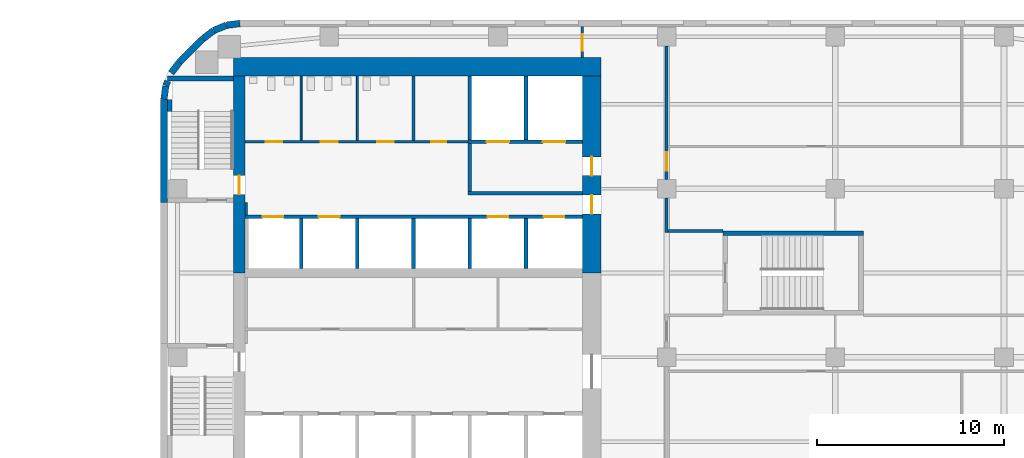
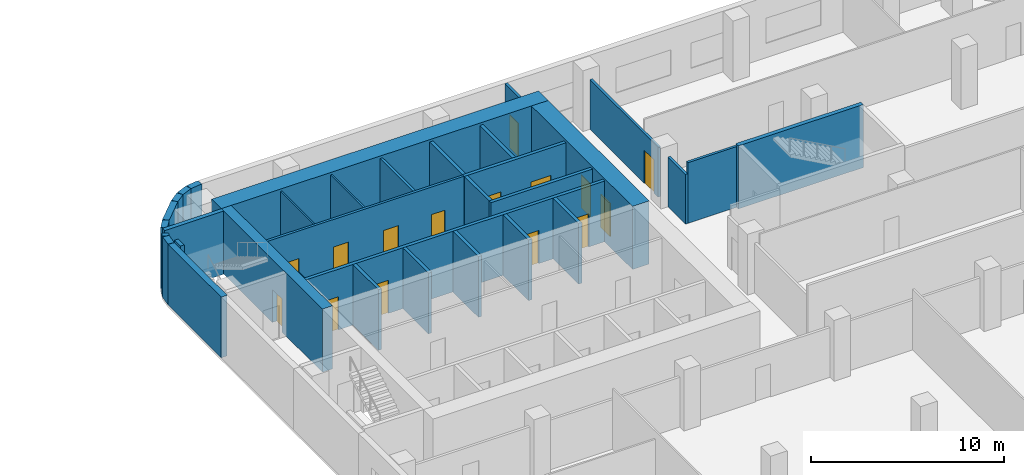
# One storey, part 11 of 16: 34 walls, 15 doors, 15 openings.
"""IFC4 building model written with IfcOpenShell, lengths in metres."""

import ifcopenshell
import ifcopenshell.guid

model = None  # the IFC model being written
_history = None  # IfcOwnerHistory: only IFC2X3 demands one
_inside = {}  # id of a spatial element -> (the spatial element, [elements in it])
_under = {}  # id of a project, library or spatial element -> (it, [spatial elements below it])
_declared = {}  # id of a project -> (the project, [libraries it declares])
_typed = {}  # id of a type object -> (the type object, [elements of that type])
_made_of = {}  # id of a material, layer set ... -> (it, [elements and type objects made of it])


def new_model(schema):
    """Start an empty IFC model of exactly this schema.

    Asked for "IFC4X3", IfcOpenShell would pick the latest addendum, in which some entities
    have other attributes; the version numbers below select the first issue.
    IFC2X3 requires an IfcOwnerHistory on every rooted entity: one is made here for all.
    """
    global model, _history
    if schema == "IFC4X3":
        model = ifcopenshell.file(schema_version=(4, 3, 0, 0))
    else:
        model = ifcopenshell.file(schema=schema)
    _inside.clear()
    _under.clear()
    _declared.clear()
    _typed.clear()
    _made_of.clear()
    _history = None
    if model.schema == "IFC2X3":
        org = make("IfcOrganization", Name="unknown")
        user = make(
            "IfcPersonAndOrganization",
            ThePerson=make("IfcPerson", FamilyName="unknown"),
            TheOrganization=org,
        )
        app = make(
            "IfcApplication",
            ApplicationDeveloper=org,
            Version="unknown",
            ApplicationFullName="unknown",
            ApplicationIdentifier="unknown",
        )
        _history = make(
            "IfcOwnerHistory",
            OwningUser=user,
            OwningApplication=app,
            ChangeAction="ADDED",
            CreationDate=0,
        )
    return model


def make(cls, **values):
    """One entity of the class cls with the attributes given. An attribute that is None is left unset."""
    return model.create_entity(
        cls, **{name: value for name, value in values.items() if value is not None}
    )


def rooted(cls, **values):
    """An entity with a GlobalId (a new one), such as an element, a storey or a relation."""
    return make(cls, GlobalId=ifcopenshell.guid.new(), OwnerHistory=_history, **values)


def si_unit(unit_type, name, prefix=None):
    """IfcSIUnit, for example si_unit("LENGTHUNIT", "METRE", prefix="MILLI")."""
    return make("IfcSIUnit", UnitType=unit_type, Prefix=prefix, Name=name)


def assignment(units):
    """IfcUnitAssignment: the units of a project."""
    return None if units is None else make("IfcUnitAssignment", Units=units)


def point(xyz):
    """IfcCartesianPoint."""
    return None if xyz is None else make("IfcCartesianPoint", Coordinates=xyz)


def direction(xyz):
    """IfcDirection."""
    return None if xyz is None else make("IfcDirection", DirectionRatios=xyz)


def frame(location, z_axis=None, x_axis=None):
    """IfcAxis2Placement3D, a coordinate frame: its origin and axes. An axis left out is left unset."""
    return make(
        "IfcAxis2Placement3D",
        Location=point(location),
        Axis=direction(z_axis),
        RefDirection=direction(x_axis),
    )


def frame_2d(location, x_axis=None):
    """IfcAxis2Placement2D, a coordinate frame in the plane: its origin and x axis."""
    return make(
        "IfcAxis2Placement2D", Location=point(location), RefDirection=direction(x_axis)
    )


def origin():
    """The frame at (0, 0, 0) with its axes left unset."""
    return frame((0.0, 0.0, 0.0))


def place(relative_to, where):
    """IfcLocalPlacement: puts the frame where relative to a parent placement (None: the world)."""
    return make(
        "IfcLocalPlacement", PlacementRelTo=relative_to, RelativePlacement=where
    )


def context(
    kind, dimensions, precision=None, world=None, true_north=None, identifier=None
):
    """IfcGeometricRepresentationContext, for example the 3D "Model" context."""
    return make(
        "IfcGeometricRepresentationContext",
        ContextIdentifier=identifier,
        ContextType=kind,
        CoordinateSpaceDimension=dimensions,
        Precision=precision,
        WorldCoordinateSystem=world,
        TrueNorth=true_north,
    )


def subcontext(parent, identifier, kind, view, scale=None):
    """IfcGeometricRepresentationSubContext, for example "Body" below "Model"."""
    return make(
        "IfcGeometricRepresentationSubContext",
        ContextIdentifier=identifier,
        ContextType=kind,
        ParentContext=parent,
        TargetScale=scale,
        TargetView=view,
    )


def project(units=None, contexts=None):
    """IfcProject with its units and contexts."""
    return rooted(
        "IfcProject",
        Name="project",
        RepresentationContexts=contexts,
        UnitsInContext=assignment(units),
    )


def spatial(cls, under=None, at=None, **own):
    """A site, building, storey or space (cls), placed at a placement, below another one or the project."""
    s = rooted(cls, ObjectPlacement=at, **own)
    if under is not None:
        _under.setdefault(under.id(), (under, []))[1].append(s)
    return s


def profile(cls, at=None, kind="AREA", **sizes):
    """A parametric profile (cls). Its sizes go by their IFC names, for example OverallWidth=200.0."""
    return make(cls, ProfileType=kind, Position=at, **sizes)


def rectangle(**sizes):
    """IfcRectangleProfileDef."""
    return profile("IfcRectangleProfileDef", **sizes)


def extrude(swept, where, along, depth):
    """IfcExtrudedAreaSolid: the profile swept, set in the frame where, extruded along a direction by depth."""
    return make(
        "IfcExtrudedAreaSolid",
        SweptArea=swept,
        Position=where,
        ExtrudedDirection=direction(along),
        Depth=depth,
    )


def shape(context_of_items, identifier, shape_type, items):
    """IfcShapeRepresentation: the items that make up one representation, for example the "Body"."""
    return make(
        "IfcShapeRepresentation",
        ContextOfItems=context_of_items,
        RepresentationIdentifier=identifier,
        RepresentationType=shape_type,
        Items=items,
    )


def material(Name=None, Category=None):
    """IfcMaterial."""
    return make("IfcMaterial", Name=Name, Category=Category)


def layer(
    of_material, thickness, ventilated=None, Name=None, Category=None, Priority=None
):
    """IfcMaterialLayer: one layer of a wall or slab, of a material (None: an air gap)."""
    return make(
        "IfcMaterialLayer",
        Material=of_material,
        LayerThickness=thickness,
        IsVentilated=ventilated,
        Name=Name,
        Category=Category,
        Priority=Priority,
    )


def layer_set(layers, Name=None):
    """IfcMaterialLayerSet."""
    return make("IfcMaterialLayerSet", MaterialLayers=layers, LayerSetName=Name)


def made_of(thing, what):
    """Note that an element or type object is made of a material, layer set ...; save() writes the relation."""
    if what is not None:
        _made_of.setdefault(what.id(), (what, []))[1].append(thing)
    return thing


def type_object(cls, material=None, **own):
    """A type object (cls), such as IfcWallType, which elements share."""
    return made_of(rooted(cls, **own), material)


def element(
    cls,
    number,
    at=None,
    inside=None,
    cuts=None,
    type_object=None,
    material=None,
    context=None,
    identifier="Body",
    shape_type=None,
    held_by="IfcProductDefinitionShape",
    body=None,
    shapes=None,
    **own,
):
    """One element of the class cls, such as IfcWall. Its Tag is "e" and its number.

    at: its placement. inside: the storey or other place that contains it. cuts: it is an
    opening in that element (IfcRelVoidsElement). A single representation is given by context,
    identifier, shape_type and body (its items); several are given by shapes. held_by: the class
    of the entity that holds the representations. save() writes the other relations.
    """
    e = rooted(cls, Tag="e%d" % number, ObjectPlacement=at, **own)
    if body is not None:
        shapes = [shape(context, identifier, shape_type, body)]
    if shapes is not None:
        e.Representation = make(held_by, Representations=shapes)
    if inside is not None:
        _inside.setdefault(inside.id(), (inside, []))[1].append(e)
    if cuts is not None:
        rooted(
            "IfcRelVoidsElement", RelatingBuildingElement=cuts, RelatedOpeningElement=e
        )
    if type_object is not None:
        _typed.setdefault(type_object.id(), (type_object, []))[1].append(e)
    return made_of(e, material)


def fill(opening, filler):
    """IfcRelFillsElement: the door or window that sits in an opening."""
    return rooted(
        "IfcRelFillsElement",
        RelatingOpeningElement=opening,
        RelatedBuildingElement=filler,
    )


def aggregate(whole, parts):
    """IfcRelAggregates: a whole, such as a stair, and the parts it consists of."""
    return rooted("IfcRelAggregates", RelatingObject=whole, RelatedObjects=parts)


def save(model, path):
    """Write the relations noted so far, then the file.

    IfcRelAggregates (storeys below a building ...), IfcRelContainedInSpatialStructure (elements
    in a storey), IfcRelDefinesByType, IfcRelAssociatesMaterial and IfcRelDeclares: one each for
    every whole, place, type object, material and project.
    """
    for whole, parts in _under.values():
        aggregate(whole, parts)
    for where, things in _inside.values():
        rooted(
            "IfcRelContainedInSpatialStructure",
            RelatedElements=things,
            RelatingStructure=where,
        )
    for kind, things in _typed.values():
        rooted("IfcRelDefinesByType", RelatedObjects=things, RelatingType=kind)
    for what, things in _made_of.values():
        rooted("IfcRelAssociatesMaterial", RelatedObjects=things, RelatingMaterial=what)
    for by, libraries in _declared.values():
        rooted("IfcRelDeclares", RelatingContext=by, RelatedDefinitions=libraries)
    model.write(path)


model = new_model("IFC4")

# Units and contexts
model_context = context("Model", 3, precision=1e-05, world=origin(), true_north=direction((0.0, 1.0)))
body_context = subcontext(model_context, "Body", "Model", "MODEL_VIEW")
ifc_project = project(units=[si_unit("LENGTHUNIT", "METRE"), si_unit("AREAUNIT", "SQUARE_METRE"), si_unit("VOLUMEUNIT", "CUBIC_METRE"), si_unit("PLANEANGLEUNIT", "RADIAN"), si_unit("MASSUNIT", "GRAM", prefix="KILO")], contexts=[model_context])

# Site, building, storey
site_placement = place(None, origin())
site = spatial("IfcSite", under=ifc_project, at=site_placement, CompositionType="ELEMENT")
building_placement = place(site_placement, origin())
building = spatial("IfcBuilding", under=site, at=building_placement, Name="Cinnabar Reach Civic Tower", CompositionType="ELEMENT")
storey_placement = place(building_placement, frame((0.0, 0.0, 34.0)))
storey = spatial("IfcBuildingStorey", under=building, at=storey_placement, Name="L07", CompositionType="ELEMENT", Elevation=34.0)

# Walls
ifc_material_1 = material(Name="Facing brick with insulated backing", Category="masonry")
ifc_layer_1 = layer(ifc_material_1, 0.36)
ifc_layer_set_1 = layer_set([ifc_layer_1], Name="Brick corner wall")
wall_type_1 = type_object("IfcWallType", Name="Brick corner wall", PredefinedType="STANDARD", material=ifc_layer_set_1)
for number, where, z_axis, x_axis, name in (
    (1, (4.2314, 44.817, 0.0), (0.0, 0.0, 1.0), (-0.99144092581, -0.13055608231, 0.0), "Brick corner wall"),
    (2, (3.5027, 44.7181, 0.0), (0.0, 0.0, 1.0), (-0.923871547278, -0.382702709855, 0.0), "Brick corner wall"),
):
    element("IfcWall", number, at=place(storey_placement, frame(where, z_axis=z_axis, x_axis=x_axis)), inside=storey, type_object=wall_type_1, Name=name, PredefinedType="STANDARD", context=body_context, shape_type="SweptSolid", body=[
        extrude(rectangle(XDim=0.7131, YDim=0.36, at=frame_2d((0.3565, 0.0))), origin(), (0.0, 0.0, 1.0), 3.85),
    ])
for number, where, z_axis, x_axis, name in (
    (3, (2.8245, 44.434, 0.0), (0.0, 0.0, 1.0), (-0.793321924995, -0.608802368033, 0.0), "Brick corner wall"),
    (4, (1.0002, 42.7413, 0.0), (0.0, 0.0, 1.0), (-0.608802368033, -0.793321924995, 0.0), "Brick corner wall"),
):
    element("IfcWall", number, at=place(storey_placement, frame(where, z_axis=z_axis, x_axis=x_axis)), inside=storey, type_object=wall_type_1, Name=name, PredefinedType="STANDARD", context=body_context, shape_type="SweptSolid", body=[
        extrude(rectangle(XDim=0.7132, YDim=0.36, at=frame_2d((0.3566, 0.0))), origin(), (0.0, 0.0, 1.0), 3.85),
    ])
wall_1_placement = place(storey_placement, frame((0.3808, 41.736, 0.0), z_axis=(0.0, 0.0, 1.0), x_axis=(-0.382773360986, -0.923842277729, 0.0)))
element("IfcWall", 5, at=wall_1_placement, inside=storey, type_object=wall_type_1, Name="Brick corner wall", PredefinedType="STANDARD", context=body_context, shape_type="SweptSolid", body=[
    extrude(rectangle(XDim=0.2584, YDim=0.36, at=frame_2d((0.1292, 0.0))), origin(), (0.0, 0.0, 1.0), 3.85),
])
wall_2_placement = place(storey_placement, frame((0.2761, 41.4756, 0.0), z_axis=(0.0, 0.0, 1.0), x_axis=(-0.13055608231, -0.99144092581, 0.0)))
element("IfcWall", 6, at=wall_2_placement, inside=storey, type_object=wall_type_1, Name="Brick corner wall", PredefinedType="STANDARD", context=body_context, shape_type="SweptSolid", body=[
    extrude(rectangle(XDim=0.7131, YDim=0.36, at=frame_2d((0.3565, 0.0))), origin(), (0.0, 0.0, 1.0), 3.85),
])
ifc_layer_2 = layer(ifc_material_1, 0.36)
ifc_layer_set_2 = layer_set([ifc_layer_2], Name="Brick pier and spandrel wall")
wall_type_2 = type_object("IfcWallType", Name="Brick pier and spandrel wall", PredefinedType="STANDARD", material=ifc_layer_set_2)
wall_3_placement = place(storey_placement, frame((2.2486, 43.994, 0.0), z_axis=(0.0, 0.0, 1.0), x_axis=(-0.707106781187, -0.707106781187, 0.0)))
element("IfcWall", 7, at=wall_3_placement, inside=storey, type_object=wall_type_2, Name="Brick facade wall", PredefinedType="STANDARD", context=body_context, shape_type="SweptSolid", body=[
    extrude(rectangle(XDim=1.7573, YDim=0.36, at=frame_2d((0.8787, 0.0))), origin(), (0.0, 0.0, 1.0), 3.85),
])
wall_4_placement = place(storey_placement, frame((0.18, 40.7574, 0.0), z_axis=(0.0, 0.0, 1.0), x_axis=(0.0, -1.0, 0.0)))
element("IfcWall", 8, at=wall_4_placement, inside=storey, type_object=wall_type_2, Name="Brick facade wall", PredefinedType="STANDARD", context=body_context, shape_type="SweptSolid", body=[
    extrude(rectangle(XDim=5.5074, YDim=0.36, at=frame_2d((2.7537, 0.0))), origin(), (0.0, 0.0, 1.0), 3.85),
])
ifc_material_2 = material(Name="Concrete C70", Category="concrete")
ifc_layer_3 = layer(ifc_material_2, 1.0)
ifc_layer_set_3 = layer_set([ifc_layer_3], Name="Core wall 1000 EI 180")
wall_type_3 = type_object("IfcWallType", Name="Core wall 1000 EI 180", PredefinedType="SOLIDWALL", material=ifc_layer_set_3)
wall_5_placement = place(storey_placement, frame((23.5, 42.5, 0.0), z_axis=(0.0, 0.0, 1.0), x_axis=(-1.0, 0.0, 0.0)))
element("IfcWall", 9, at=wall_5_placement, inside=storey, type_object=wall_type_3, Name="Core wall T1 L07 N", PredefinedType="SOLIDWALL", context=body_context, shape_type="SweptSolid", body=[
    extrude(rectangle(XDim=19.6, YDim=1.0, at=frame_2d((9.8, 0.0))), origin(), (0.0, 0.0, 1.0), 4.0),
])

# Wall, openings, doors
wall_6_placement = place(storey_placement, frame((23.0, 31.5, 0.0), z_axis=(0.0, 0.0, 1.0), x_axis=(0.0, 1.0, 0.0)))
wall_6 = element("IfcWall", 10, at=wall_6_placement, inside=storey, type_object=wall_type_3, Name="Core wall T1 L07 E2", PredefinedType="SOLIDWALL", context=body_context, shape_type="SweptSolid", body=[
    extrude(rectangle(XDim=10.5, YDim=1.0, at=frame_2d((5.25, 0.0))), origin(), (0.0, 0.0, 1.0), 4.0),
])
opening_1_placement = place(wall_6_placement, frame((3.15, 0.0, 0.0)))
opening_1 = element("IfcOpeningElement", 11, at=opening_1_placement, cuts=wall_6, Name="Opening D3289", PredefinedType="OPENING", context=body_context, shape_type="SweptSolid", body=[
    extrude(rectangle(XDim=1.0, YDim=2.1, at=frame_2d((0.5, 1.05))), frame((0.0, 0.51, 0.0), z_axis=(0.0, -1.0, 0.0), x_axis=(1.0, 0.0, 0.0)), (0.0, 0.0, 1.0), 1.02),
])
opening_2_placement = place(wall_6_placement, frame((5.2, 0.0, 0.0)))
opening_2 = element("IfcOpeningElement", 12, at=opening_2_placement, cuts=wall_6, Name="Opening D3290", PredefinedType="OPENING", context=body_context, shape_type="SweptSolid", body=[
    extrude(rectangle(XDim=1.0, YDim=2.1, at=frame_2d((0.5, 1.05))), frame((0.0, 0.51, 0.0), z_axis=(0.0, -1.0, 0.0), x_axis=(1.0, 0.0, 0.0)), (0.0, 0.0, 1.0), 1.02),
])
ifc_material_3 = material(Name="Timber door leaf in steel frame", Category="steel")
door_type_1 = type_object("IfcDoorType", Name="Firefighting lobby door 1000 x 2100 T1", OperationType="SINGLE_SWING_LEFT", PredefinedType="DOOR", material=ifc_material_3)
door_1_placement = place(opening_2_placement, origin())
door_1 = element("IfcDoor", 13, at=door_1_placement, inside=storey, type_object=door_type_1, Name="Door D3290", OperationType="SINGLE_SWING_LEFT", OverallHeight=2.1, OverallWidth=1.0, PredefinedType="DOOR", context=body_context, shape_type="SweptSolid", body=[
    extrude(rectangle(XDim=1.0, YDim=2.1, at=frame_2d((0.5, 1.05))), frame((0.0, 0.025, 0.0), z_axis=(0.0, -1.0, 0.0), x_axis=(1.0, 0.0, 0.0)), (0.0, 0.0, 1.0), 0.05),
])
fill(opening_2, door_1)
door_type_2 = type_object("IfcDoorType", Name="Single swing door 1000 x 2100 T1", OperationType="SINGLE_SWING_LEFT", PredefinedType="DOOR", material=ifc_material_3)
door_2_placement = place(opening_1_placement, origin())
door_2 = element("IfcDoor", 14, at=door_2_placement, inside=storey, type_object=door_type_2, Name="Door D3289", OperationType="SINGLE_SWING_RIGHT", OverallHeight=2.1, OverallWidth=1.0, PredefinedType="DOOR", context=body_context, shape_type="SweptSolid", body=[
    extrude(rectangle(XDim=1.0, YDim=2.1, at=frame_2d((0.5, 1.05))), frame((0.0, 0.025, 0.0), z_axis=(0.0, -1.0, 0.0), x_axis=(1.0, 0.0, 0.0)), (0.0, 0.0, 1.0), 0.05),
])
fill(opening_1, door_2)

# Wall, opening, door
ifc_layer_4 = layer(ifc_material_2, 0.6)
ifc_layer_set_4 = layer_set([ifc_layer_4], Name="Core wall 600 EI 180")
wall_type_4 = type_object("IfcWallType", Name="Core wall 600 EI 180", PredefinedType="SOLIDWALL", material=ifc_layer_set_4)
wall_7_placement = place(storey_placement, frame((4.2, 42.0, 0.0), z_axis=(0.0, 0.0, 1.0), x_axis=(0.0, -1.0, 0.0)))
wall_7 = element("IfcWall", 15, at=wall_7_placement, inside=storey, type_object=wall_type_4, Name="Core wall T1 L07 W", PredefinedType="SOLIDWALL", context=body_context, shape_type="SweptSolid", body=[
    extrude(rectangle(XDim=10.5, YDim=0.6, at=frame_2d((5.25, 0.0))), origin(), (0.0, 0.0, 1.0), 4.0),
])
opening_3_placement = place(wall_7_placement, frame((5.3, 0.0, 0.0)))
opening_3 = element("IfcOpeningElement", 16, at=opening_3_placement, cuts=wall_7, Name="Opening D3274", PredefinedType="OPENING", context=body_context, shape_type="SweptSolid", body=[
    extrude(rectangle(XDim=1.0, YDim=2.1, at=frame_2d((0.5, 1.05))), frame((0.0, 0.31, 0.0), z_axis=(0.0, -1.0, 0.0), x_axis=(1.0, 0.0, 0.0)), (0.0, 0.0, 1.0), 0.62),
])
door_type_3 = type_object("IfcDoorType", Name="Stair door 1000 x 2100 T1", OperationType="SINGLE_SWING_LEFT", PredefinedType="DOOR", material=ifc_material_3)
door_3_placement = place(opening_3_placement, frame((1.0, 0.0, 0.0), z_axis=(0.0, 0.0, 1.0), x_axis=(-1.0, 0.0, 0.0)))
door_3 = element("IfcDoor", 17, at=door_3_placement, inside=storey, type_object=door_type_3, Name="Door D3274", OperationType="SINGLE_SWING_LEFT", OverallHeight=2.1, OverallWidth=1.0, PredefinedType="DOOR", context=body_context, shape_type="SweptSolid", body=[
    extrude(rectangle(XDim=1.0, YDim=2.1, at=frame_2d((0.5, 1.05))), frame((0.0, 0.025, 0.0), z_axis=(0.0, -1.0, 0.0), x_axis=(1.0, 0.0, 0.0)), (0.0, 0.0, 1.0), 0.05),
])
fill(opening_3, door_3)

# Wall, openings, doors
ifc_material_4 = material(Name="Gypsum board on steel studs, double layer", Category="steel")
ifc_layer_5 = layer(ifc_material_4, 0.15)
ifc_layer_set_5 = layer_set([ifc_layer_5], Name="Corridor wall 150 T1")
wall_type_5 = type_object("IfcWallType", Name="Corridor wall 150 T1", PredefinedType="PARTITIONING", material=ifc_layer_set_5)
wall_8_placement = place(storey_placement, frame((4.5, 38.5, 0.0), z_axis=(0.0, 0.0, 1.0), x_axis=(1.0, 0.0, 0.0)))
wall_8 = element("IfcWall", 18, at=wall_8_placement, inside=storey, type_object=wall_type_5, Name="Corridor wall 28", PredefinedType="PARTITIONING", context=body_context, shape_type="SweptSolid", body=[
    extrude(rectangle(XDim=11.9, YDim=0.15, at=frame_2d((5.95, 0.0))), origin(), (0.0, 0.0, 1.0), 3.85),
])
opening_4_placement = place(wall_8_placement, frame((1.1, 0.0, 0.0)))
opening_4 = element("IfcOpeningElement", 19, at=opening_4_placement, cuts=wall_8, Name="Opening D3295", PredefinedType="OPENING", context=body_context, shape_type="SweptSolid", body=[
    extrude(rectangle(XDim=0.9, YDim=2.1, at=frame_2d((0.45, 1.05))), frame((0.0, 0.085, 0.0), z_axis=(0.0, -1.0, 0.0), x_axis=(1.0, 0.0, 0.0)), (0.0, 0.0, 1.0), 0.17),
])
opening_5_placement = place(wall_8_placement, frame((4.05, 0.0, 0.0)))
opening_5 = element("IfcOpeningElement", 20, at=opening_5_placement, cuts=wall_8, Name="Opening D3296", PredefinedType="OPENING", context=body_context, shape_type="SweptSolid", body=[
    extrude(rectangle(XDim=0.9, YDim=2.1, at=frame_2d((0.45, 1.05))), frame((0.0, 0.085, 0.0), z_axis=(0.0, -1.0, 0.0), x_axis=(1.0, 0.0, 0.0)), (0.0, 0.0, 1.0), 0.17),
])
opening_6_placement = place(wall_8_placement, frame((7.05, 0.0, 0.0)))
opening_6 = element("IfcOpeningElement", 21, at=opening_6_placement, cuts=wall_8, Name="Opening D3297", PredefinedType="OPENING", context=body_context, shape_type="SweptSolid", body=[
    extrude(rectangle(XDim=0.9, YDim=2.1, at=frame_2d((0.45, 1.05))), frame((0.0, 0.085, 0.0), z_axis=(0.0, -1.0, 0.0), x_axis=(1.0, 0.0, 0.0)), (0.0, 0.0, 1.0), 0.17),
])
opening_7_placement = place(wall_8_placement, frame((9.95, 0.0, 0.0)))
opening_7 = element("IfcOpeningElement", 22, at=opening_7_placement, cuts=wall_8, Name="Opening D3298", PredefinedType="OPENING", context=body_context, shape_type="SweptSolid", body=[
    extrude(rectangle(XDim=0.8, YDim=2.1, at=frame_2d((0.4, 1.05))), frame((0.0, 0.085, 0.0), z_axis=(0.0, -1.0, 0.0), x_axis=(1.0, 0.0, 0.0)), (0.0, 0.0, 1.0), 0.17),
])
door_type_4 = type_object("IfcDoorType", Name="Riser access door 800 x 2100 T1", OperationType="SINGLE_SWING_LEFT", PredefinedType="DOOR", material=ifc_material_3)
door_4_placement = place(opening_7_placement, origin())
door_4 = element("IfcDoor", 23, at=door_4_placement, inside=storey, type_object=door_type_4, Name="Door D3298", OperationType="SINGLE_SWING_RIGHT", OverallHeight=2.1, OverallWidth=0.8, PredefinedType="DOOR", context=body_context, shape_type="SweptSolid", body=[
    extrude(rectangle(XDim=0.8, YDim=2.1, at=frame_2d((0.4, 1.05))), frame((0.0, 0.025, 0.0), z_axis=(0.0, -1.0, 0.0), x_axis=(1.0, 0.0, 0.0)), (0.0, 0.0, 1.0), 0.05),
])
fill(opening_7, door_4)
door_type_5 = type_object("IfcDoorType", Name="Single swing door 900 x 2100 corridor T1", OperationType="SINGLE_SWING_LEFT", PredefinedType="DOOR", material=ifc_material_3)
door_5_placement = place(opening_4_placement, origin())
door_5 = element("IfcDoor", 24, at=door_5_placement, inside=storey, type_object=door_type_5, Name="Door D3295", OperationType="SINGLE_SWING_RIGHT", OverallHeight=2.1, OverallWidth=0.9, PredefinedType="DOOR", context=body_context, shape_type="SweptSolid", body=[
    extrude(rectangle(XDim=0.9, YDim=2.1, at=frame_2d((0.45, 1.05))), frame((0.0, 0.025, 0.0), z_axis=(0.0, -1.0, 0.0), x_axis=(1.0, 0.0, 0.0)), (0.0, 0.0, 1.0), 0.05),
])
fill(opening_4, door_5)
door_6_placement = place(opening_5_placement, origin())
door_6 = element("IfcDoor", 25, at=door_6_placement, inside=storey, type_object=door_type_5, Name="Door D3296", OperationType="SINGLE_SWING_RIGHT", OverallHeight=2.1, OverallWidth=0.9, PredefinedType="DOOR", context=body_context, shape_type="SweptSolid", body=[
    extrude(rectangle(XDim=0.9, YDim=2.1, at=frame_2d((0.45, 1.05))), frame((0.0, 0.025, 0.0), z_axis=(0.0, -1.0, 0.0), x_axis=(1.0, 0.0, 0.0)), (0.0, 0.0, 1.0), 0.05),
])
fill(opening_5, door_6)
door_7_placement = place(opening_6_placement, origin())
door_7 = element("IfcDoor", 26, at=door_7_placement, inside=storey, type_object=door_type_5, Name="Door D3297", OperationType="SINGLE_SWING_LEFT", OverallHeight=2.1, OverallWidth=0.9, PredefinedType="DOOR", context=body_context, shape_type="SweptSolid", body=[
    extrude(rectangle(XDim=0.9, YDim=2.1, at=frame_2d((0.45, 1.05))), frame((0.0, 0.025, 0.0), z_axis=(0.0, -1.0, 0.0), x_axis=(1.0, 0.0, 0.0)), (0.0, 0.0, 1.0), 0.05),
])
fill(opening_6, door_7)

# Wall
wall_9_placement = place(storey_placement, frame((27.0, 33.675, 0.0), z_axis=(0.0, 0.0, 1.0), x_axis=(0.0, 1.0, 0.0)))
element("IfcWall", 27, at=wall_9_placement, inside=storey, type_object=wall_type_5, Name="Corridor wall 29", PredefinedType="PARTITIONING", context=body_context, shape_type="SweptSolid", body=[
    extrude(rectangle(XDim=1.825, YDim=0.15, at=frame_2d((0.9125, 0.0))), origin(), (0.0, 0.0, 1.0), 3.158),
])

# Wall, opening, door
wall_10_placement = place(storey_placement, frame((27.0, 36.5, 0.0), z_axis=(0.0, 0.0, 1.0), x_axis=(0.0, 1.0, 0.0)))
wall_10 = element("IfcWall", 28, at=wall_10_placement, inside=storey, type_object=wall_type_5, Name="Corridor wall 30", PredefinedType="PARTITIONING", context=body_context, shape_type="SweptSolid", body=[
    extrude(rectangle(XDim=7.1, YDim=0.15, at=frame_2d((3.55, 0.0))), origin(), (0.0, 0.0, 1.0), 3.158),
])
opening_8_placement = place(wall_10_placement, frame((0.45, 0.0, 0.0)))
opening_8 = element("IfcOpeningElement", 29, at=opening_8_placement, cuts=wall_10, Name="Opening D3299", PredefinedType="OPENING", context=body_context, shape_type="SweptSolid", body=[
    extrude(rectangle(XDim=1.0, YDim=2.1, at=frame_2d((0.5, 1.05))), frame((0.0, 0.085, 0.0), z_axis=(0.0, -1.0, 0.0), x_axis=(1.0, 0.0, 0.0)), (0.0, 0.0, 1.0), 0.17),
])
door_type_6 = type_object("IfcDoorType", Name="Tenancy entrance door 1000 x 2100 T1", OperationType="SINGLE_SWING_LEFT", PredefinedType="DOOR", material=ifc_material_3)
door_8_placement = place(opening_8_placement, frame((1.0, 0.0, 0.0), z_axis=(0.0, 0.0, 1.0), x_axis=(-1.0, 0.0, 0.0)))
door_8 = element("IfcDoor", 30, at=door_8_placement, inside=storey, type_object=door_type_6, Name="Door D3299", OperationType="SINGLE_SWING_LEFT", OverallHeight=2.1, OverallWidth=1.0, PredefinedType="DOOR", context=body_context, shape_type="SweptSolid", body=[
    extrude(rectangle(XDim=1.0, YDim=2.1, at=frame_2d((0.5, 1.05))), frame((0.0, 0.025, 0.0), z_axis=(0.0, -1.0, 0.0), x_axis=(1.0, 0.0, 0.0)), (0.0, 0.0, 1.0), 0.05),
])
fill(opening_8, door_8)

# Wall
wall_11_placement = place(storey_placement, frame((27.075, 33.75, 0.0), z_axis=(0.0, 0.0, 1.0), x_axis=(1.0, 0.0, 0.0)))
element("IfcWall", 31, at=wall_11_placement, inside=storey, type_object=wall_type_5, Name="Corridor wall 36", PredefinedType="PARTITIONING", context=body_context, shape_type="SweptSolid", body=[
    extrude(rectangle(XDim=2.925, YDim=0.15, at=frame_2d((1.4625, 0.0))), origin(), (0.0, 0.0, 1.0), 3.85),
])

# Wall, opening, door
wall_12_placement = place(storey_placement, frame((22.5, 43.0, 0.0), z_axis=(0.0, 0.0, 1.0), x_axis=(0.0, 1.0, 0.0)))
wall_12 = element("IfcWall", 32, at=wall_12_placement, inside=storey, type_object=wall_type_5, Name="Corridor wall 37", PredefinedType="PARTITIONING", context=body_context, shape_type="SweptSolid", body=[
    extrude(rectangle(XDim=1.64, YDim=0.15, at=frame_2d((0.82, 0.0))), origin(), (0.0, 0.0, 1.0), 3.85),
])
opening_9_placement = place(wall_12_placement, frame((0.35, 0.0, 0.0)))
opening_9 = element("IfcOpeningElement", 33, at=opening_9_placement, cuts=wall_12, Name="Opening D5772", PredefinedType="OPENING", context=body_context, shape_type="SweptSolid", body=[
    extrude(rectangle(XDim=0.9, YDim=2.1, at=frame_2d((0.45, 1.05))), frame((0.0, 0.085, 0.0), z_axis=(0.0, -1.0, 0.0), x_axis=(1.0, 0.0, 0.0)), (0.0, 0.0, 1.0), 0.17),
])
door_9_placement = place(opening_9_placement, origin())
door_9 = element("IfcDoor", 34, at=door_9_placement, inside=storey, type_object=door_type_5, Name="Door D5772", OperationType="SINGLE_SWING_LEFT", OverallHeight=2.1, OverallWidth=0.9, PredefinedType="DOOR", context=body_context, shape_type="SweptSolid", body=[
    extrude(rectangle(XDim=0.9, YDim=2.1, at=frame_2d((0.45, 1.05))), frame((0.0, 0.025, 0.0), z_axis=(0.0, -1.0, 0.0), x_axis=(1.0, 0.0, 0.0)), (0.0, 0.0, 1.0), 0.05),
])
fill(opening_9, door_9)

# Wall
wall_13_placement = place(storey_placement, frame((4.575, 34.6, 0.0), z_axis=(0.0, 0.0, 1.0), x_axis=(0.0, 1.0, 0.0)))
element("IfcWall", 35, at=wall_13_placement, inside=storey, type_object=wall_type_5, Name="Corridor wall 38", PredefinedType="PARTITIONING", context=body_context, shape_type="SweptSolid", body=[
    extrude(rectangle(XDim=0.65, YDim=0.15, at=frame_2d((0.325, 0.0))), origin(), (0.0, 0.0, 1.0), 3.85),
])

# Wall, openings, doors
ifc_material_5 = material(Name="Blockwork", Category="masonry")
ifc_layer_6 = layer(ifc_material_5, 0.2)
ifc_layer_set_6 = layer_set([ifc_layer_6], Name="Lift shaft wall 200 T1")
wall_type_6 = type_object("IfcWallType", Name="Lift shaft wall 200 T1", PredefinedType="PARTITIONING", material=ifc_layer_set_6)
wall_14_placement = place(storey_placement, frame((4.5, 34.5, 0.0), z_axis=(0.0, 0.0, 1.0), x_axis=(1.0, 0.0, 0.0)))
wall_14 = element("IfcWall", 36, at=wall_14_placement, inside=storey, type_object=wall_type_6, Name="Lift shaft wall 5", PredefinedType="PARTITIONING", context=body_context, shape_type="SweptSolid", body=[
    extrude(rectangle(XDim=18.0, YDim=0.2, at=frame_2d((9.0, 0.0))), origin(), (0.0, 0.0, 1.0), 3.85),
])
opening_10_placement = place(wall_14_placement, frame((0.95, 0.0, 0.0)))
opening_10 = element("IfcOpeningElement", 37, at=opening_10_placement, cuts=wall_14, Name="Opening D3282", PredefinedType="OPENING", context=body_context, shape_type="SweptSolid", body=[
    extrude(rectangle(XDim=1.1, YDim=2.1, at=frame_2d((0.55, 1.05))), frame((0.0, 0.11, 0.0), z_axis=(0.0, -1.0, 0.0), x_axis=(1.0, 0.0, 0.0)), (0.0, 0.0, 1.0), 0.22),
])
opening_11_placement = place(wall_14_placement, frame((3.95, 0.0, 0.0)))
opening_11 = element("IfcOpeningElement", 38, at=opening_11_placement, cuts=wall_14, Name="Opening D3283", PredefinedType="OPENING", context=body_context, shape_type="SweptSolid", body=[
    extrude(rectangle(XDim=1.1, YDim=2.1, at=frame_2d((0.55, 1.05))), frame((0.0, 0.11, 0.0), z_axis=(0.0, -1.0, 0.0), x_axis=(1.0, 0.0, 0.0)), (0.0, 0.0, 1.0), 0.22),
])
opening_12_placement = place(wall_14_placement, frame((12.95, 0.0, 0.0)))
opening_12 = element("IfcOpeningElement", 39, at=opening_12_placement, cuts=wall_14, Name="Opening D3284", PredefinedType="OPENING", context=body_context, shape_type="SweptSolid", body=[
    extrude(rectangle(XDim=1.1, YDim=2.1, at=frame_2d((0.55, 1.05))), frame((0.0, 0.11, 0.0), z_axis=(0.0, -1.0, 0.0), x_axis=(1.0, 0.0, 0.0)), (0.0, 0.0, 1.0), 0.22),
])
opening_13_placement = place(wall_14_placement, frame((15.95, 0.0, 0.0)))
opening_13 = element("IfcOpeningElement", 40, at=opening_13_placement, cuts=wall_14, Name="Opening D3285", PredefinedType="OPENING", context=body_context, shape_type="SweptSolid", body=[
    extrude(rectangle(XDim=1.1, YDim=2.1, at=frame_2d((0.55, 1.05))), frame((0.0, 0.11, 0.0), z_axis=(0.0, -1.0, 0.0), x_axis=(1.0, 0.0, 0.0)), (0.0, 0.0, 1.0), 0.22),
])
ifc_material_6 = material(Name="Stainless steel sliding door", Category="steel")
door_type_7 = type_object("IfcDoorType", Name="Lift landing door 1100 x 2100 T1", OperationType="SLIDING_TO_LEFT", PredefinedType="DOOR", material=ifc_material_6)
door_10_placement = place(opening_10_placement, origin())
door_10 = element("IfcDoor", 41, at=door_10_placement, inside=storey, type_object=door_type_7, Name="Lift landing door SH1 L07", OperationType="SLIDING_TO_LEFT", OverallHeight=2.1, OverallWidth=1.1, PredefinedType="DOOR", context=body_context, shape_type="SweptSolid", body=[
    extrude(rectangle(XDim=1.1, YDim=2.1, at=frame_2d((0.55, 1.05))), frame((0.0, 0.025, 0.0), z_axis=(0.0, -1.0, 0.0), x_axis=(1.0, 0.0, 0.0)), (0.0, 0.0, 1.0), 0.05),
])
fill(opening_10, door_10)
door_11_placement = place(opening_11_placement, origin())
door_11 = element("IfcDoor", 42, at=door_11_placement, inside=storey, type_object=door_type_7, Name="Lift landing door SH2 L07", OperationType="SLIDING_TO_LEFT", OverallHeight=2.1, OverallWidth=1.1, PredefinedType="DOOR", context=body_context, shape_type="SweptSolid", body=[
    extrude(rectangle(XDim=1.1, YDim=2.1, at=frame_2d((0.55, 1.05))), frame((0.0, 0.025, 0.0), z_axis=(0.0, -1.0, 0.0), x_axis=(1.0, 0.0, 0.0)), (0.0, 0.0, 1.0), 0.05),
])
fill(opening_11, door_11)
door_12_placement = place(opening_12_placement, origin())
door_12 = element("IfcDoor", 43, at=door_12_placement, inside=storey, type_object=door_type_7, Name="Lift landing door SV1 L07", OperationType="SLIDING_TO_LEFT", OverallHeight=2.1, OverallWidth=1.1, PredefinedType="DOOR", context=body_context, shape_type="SweptSolid", body=[
    extrude(rectangle(XDim=1.1, YDim=2.1, at=frame_2d((0.55, 1.05))), frame((0.0, 0.025, 0.0), z_axis=(0.0, -1.0, 0.0), x_axis=(1.0, 0.0, 0.0)), (0.0, 0.0, 1.0), 0.05),
])
fill(opening_12, door_12)
door_13_placement = place(opening_13_placement, origin())
door_13 = element("IfcDoor", 44, at=door_13_placement, inside=storey, type_object=door_type_7, Name="Lift landing door SV2 L07", OperationType="SLIDING_TO_LEFT", OverallHeight=2.1, OverallWidth=1.1, PredefinedType="DOOR", context=body_context, shape_type="SweptSolid", body=[
    extrude(rectangle(XDim=1.1, YDim=2.1, at=frame_2d((0.55, 1.05))), frame((0.0, 0.025, 0.0), z_axis=(0.0, -1.0, 0.0), x_axis=(1.0, 0.0, 0.0)), (0.0, 0.0, 1.0), 0.05),
])
fill(opening_13, door_13)

# Walls
for number, where, z_axis, x_axis, name in (
    (45, (16.5, 38.6, 0.0), (0.0, 0.0, 1.0), (0.0, 1.0, 0.0), "Lift shaft wall 6"),
    (46, (19.5, 38.6, 0.0), (0.0, 0.0, 1.0), (0.0, 1.0, 0.0), "Lift shaft wall 7"),
):
    element("IfcWall", number, at=place(storey_placement, frame(where, z_axis=z_axis, x_axis=x_axis)), inside=storey, type_object=wall_type_6, Name=name, PredefinedType="PARTITIONING", context=body_context, shape_type="SweptSolid", body=[
        extrude(rectangle(XDim=3.4, YDim=0.2, at=frame_2d((1.7, 0.0))), origin(), (0.0, 0.0, 1.0), 3.85),
    ])
for number, where, z_axis, x_axis, name in (
    (47, (7.5, 31.75, 0.0), (0.0, 0.0, 1.0), (0.0, 1.0, 0.0), "Lift shaft wall 10"),
    (48, (10.5, 31.75, 0.0), (0.0, 0.0, 1.0), (0.0, 1.0, 0.0), "Lift shaft wall 12"),
    (49, (13.5, 31.75, 0.0), (0.0, 0.0, 1.0), (0.0, 1.0, 0.0), "Lift shaft wall 14"),
    (50, (16.5, 31.75, 0.0), (0.0, 0.0, 1.0), (0.0, 1.0, 0.0), "Lift shaft wall 16"),
    (51, (19.5, 31.75, 0.0), (0.0, 0.0, 1.0), (0.0, 1.0, 0.0), "Lift shaft wall 18"),
):
    element("IfcWall", number, at=place(storey_placement, frame(where, z_axis=z_axis, x_axis=x_axis)), inside=storey, type_object=wall_type_6, Name=name, PredefinedType="PARTITIONING", context=body_context, shape_type="SweptSolid", body=[
        extrude(rectangle(XDim=2.65, YDim=0.2, at=frame_2d((1.325, 0.0))), origin(), (0.0, 0.0, 1.0), 3.85),
    ])
ifc_material_7 = material(Name="Gypsum board on steel studs", Category="steel")
ifc_layer_7 = layer(ifc_material_7, 0.1)
ifc_layer_set_7 = layer_set([ifc_layer_7], Name="Partition wall 100 T1")
wall_type_7 = type_object("IfcWallType", Name="Partition wall 100 T1", PredefinedType="PARTITIONING", material=ifc_layer_set_7)
for number, where, z_axis, x_axis, name in (
    (52, (7.5, 38.575, 0.0), (0.0, 0.0, 1.0), (0.0, 1.0, 0.0), "Partition wall 55"),
    (53, (10.5, 38.575, 0.0), (0.0, 0.0, 1.0), (0.0, 1.0, 0.0), "Partition wall 56"),
):
    element("IfcWall", number, at=place(storey_placement, frame(where, z_axis=z_axis, x_axis=x_axis)), inside=storey, type_object=wall_type_7, Name=name, PredefinedType="PARTITIONING", context=body_context, shape_type="SweptSolid", body=[
        extrude(rectangle(XDim=3.425, YDim=0.1, at=frame_2d((1.7125, 0.0))), origin(), (0.0, 0.0, 1.0), 3.85),
    ])
ifc_material_8 = material(Name="Concrete C40", Category="concrete")
ifc_layer_8 = layer(ifc_material_8, 0.2)
ifc_layer_set_8 = layer_set([ifc_layer_8], Name="Refuge compartment wall 200 T1")
wall_type_8 = type_object("IfcWallType", Name="Refuge compartment wall 200 T1", PredefinedType="PARTITIONING", material=ifc_layer_set_8)
wall_15_placement = place(storey_placement, frame((16.4, 35.75, 0.0), z_axis=(0.0, 0.0, 1.0), x_axis=(1.0, 0.0, 0.0)))
element("IfcWall", 54, at=wall_15_placement, inside=storey, type_object=wall_type_8, Name="Refuge compartment wall 1", PredefinedType="PARTITIONING", context=body_context, shape_type="SweptSolid", body=[
    extrude(rectangle(XDim=6.1, YDim=0.2, at=frame_2d((3.05, 0.0))), origin(), (0.0, 0.0, 1.0), 3.85),
])

# Wall, openings, doors
wall_16_placement = place(storey_placement, frame((16.4, 38.5, 0.0), z_axis=(0.0, 0.0, 1.0), x_axis=(1.0, 0.0, 0.0)))
wall_16 = element("IfcWall", 55, at=wall_16_placement, inside=storey, type_object=wall_type_8, Name="Refuge compartment wall 2", PredefinedType="PARTITIONING", context=body_context, shape_type="SweptSolid", body=[
    extrude(rectangle(XDim=6.1, YDim=0.2, at=frame_2d((3.05, 0.0))), origin(), (0.0, 0.0, 1.0), 3.85),
])
opening_14_placement = place(wall_16_placement, frame((1.0, 0.0, 0.0)))
opening_14 = element("IfcOpeningElement", 56, at=opening_14_placement, cuts=wall_16, Name="Opening D3286", PredefinedType="OPENING", context=body_context, shape_type="SweptSolid", body=[
    extrude(rectangle(XDim=1.2, YDim=2.1, at=frame_2d((0.6, 1.05))), frame((0.0, 0.11, 0.0), z_axis=(0.0, -1.0, 0.0), x_axis=(1.0, 0.0, 0.0)), (0.0, 0.0, 1.0), 0.22),
])
opening_15_placement = place(wall_16_placement, frame((4.0, 0.0, 0.0)))
opening_15 = element("IfcOpeningElement", 57, at=opening_15_placement, cuts=wall_16, Name="Opening D3287", PredefinedType="OPENING", context=body_context, shape_type="SweptSolid", body=[
    extrude(rectangle(XDim=1.2, YDim=2.1, at=frame_2d((0.6, 1.05))), frame((0.0, 0.11, 0.0), z_axis=(0.0, -1.0, 0.0), x_axis=(1.0, 0.0, 0.0)), (0.0, 0.0, 1.0), 0.22),
])
door_type_8 = type_object("IfcDoorType", Name="Firefighting lift landing door 1200 x 2100 T1", OperationType="SLIDING_TO_LEFT", PredefinedType="DOOR", material=ifc_material_6)
door_14_placement = place(opening_14_placement, origin())
door_14 = element("IfcDoor", 58, at=door_14_placement, inside=storey, type_object=door_type_8, Name="Lift landing door FF1 L07", OperationType="SLIDING_TO_LEFT", OverallHeight=2.1, OverallWidth=1.2, PredefinedType="DOOR", context=body_context, shape_type="SweptSolid", body=[
    extrude(rectangle(XDim=1.2, YDim=2.1, at=frame_2d((0.6, 1.05))), frame((0.0, 0.025, 0.0), z_axis=(0.0, -1.0, 0.0), x_axis=(1.0, 0.0, 0.0)), (0.0, 0.0, 1.0), 0.05),
])
fill(opening_14, door_14)
door_15_placement = place(opening_15_placement, origin())
door_15 = element("IfcDoor", 59, at=door_15_placement, inside=storey, type_object=door_type_8, Name="Lift landing door FF2 L07", OperationType="SLIDING_TO_LEFT", OverallHeight=2.1, OverallWidth=1.2, PredefinedType="DOOR", context=body_context, shape_type="SweptSolid", body=[
    extrude(rectangle(XDim=1.2, YDim=2.1, at=frame_2d((0.6, 1.05))), frame((0.0, 0.025, 0.0), z_axis=(0.0, -1.0, 0.0), x_axis=(1.0, 0.0, 0.0)), (0.0, 0.0, 1.0), 0.05),
])
fill(opening_15, door_15)

# Walls
wall_17_placement = place(storey_placement, frame((16.5, 35.85, 0.0), z_axis=(0.0, 0.0, 1.0), x_axis=(0.0, 1.0, 0.0)))
element("IfcWall", 60, at=wall_17_placement, inside=storey, type_object=wall_type_8, Name="Refuge compartment wall 3", PredefinedType="PARTITIONING", context=body_context, shape_type="SweptSolid", body=[
    extrude(rectangle(XDim=2.55, YDim=0.2, at=frame_2d((1.275, 0.0))), origin(), (0.0, 0.0, 1.0), 3.85),
])
ifc_layer_9 = layer(ifc_material_5, 0.15)
ifc_layer_set_9 = layer_set([ifc_layer_9], Name="Riser wall 150 T1")
wall_type_9 = type_object("IfcWallType", Name="Riser wall 150 T1", PredefinedType="PARTITIONING", material=ifc_layer_set_9)
wall_18_placement = place(storey_placement, frame((13.5, 38.575, 0.0), z_axis=(0.0, 0.0, 1.0), x_axis=(0.0, 1.0, 0.0)))
element("IfcWall", 61, at=wall_18_placement, inside=storey, type_object=wall_type_9, Name="Riser wall 39", PredefinedType="PARTITIONING", context=body_context, shape_type="SweptSolid", body=[
    extrude(rectangle(XDim=3.425, YDim=0.15, at=frame_2d((1.7125, 0.0))), origin(), (0.0, 0.0, 1.0), 3.85),
])
ifc_material_9 = material(Name="Concrete C60", Category="concrete")
ifc_layer_10 = layer(ifc_material_9, 0.25)
ifc_layer_set_10 = layer_set([ifc_layer_10], Name="Stair shaft wall 250 EI 120")
wall_type_10 = type_object("IfcWallType", Name="Stair shaft wall 250 EI 120", PredefinedType="SOLIDWALL", material=ifc_layer_set_10)
wall_19_placement = place(storey_placement, frame((3.9, 41.875, 0.0), z_axis=(0.0, 0.0, 1.0), x_axis=(-1.0, 0.0, 0.0)))
element("IfcWall", 62, at=wall_19_placement, inside=storey, type_object=wall_type_10, Name="Stair shaft wall T1-S2 L07", PredefinedType="SOLIDWALL", context=body_context, shape_type="SweptSolid", body=[
    extrude(rectangle(XDim=3.54, YDim=0.25, at=frame_2d((1.77, 0.0))), origin(), (0.0, 0.0, 1.0), 4.0),
])
wall_20_placement = place(storey_placement, frame((37.5, 33.625, 0.0), z_axis=(0.0, 0.0, 1.0), x_axis=(-1.0, 0.0, 0.0)))
element("IfcWall", 63, at=wall_20_placement, inside=storey, type_object=wall_type_10, Name="Stair shaft wall T1-S3 L07", PredefinedType="SOLIDWALL", context=body_context, shape_type="SweptSolid", body=[
    extrude(rectangle(XDim=7.5, YDim=0.25, at=frame_2d((3.75, 0.0))), origin(), (0.0, 0.0, 1.0), 4.0),
])
ifc_material_10 = material(Name="Concrete C40/50", Category="concrete")
ifc_layer_11 = layer(ifc_material_10, 0.24)
ifc_layer_set_11 = layer_set([ifc_layer_11], Name="T1 landing bearer wall 240")
wall_type_11 = type_object("IfcWallType", Name="T1 landing bearer wall 240", PredefinedType="STANDARD", material=ifc_layer_set_11)
wall_21_placement = place(storey_placement, frame((0.48, 40.13, 0.0), z_axis=(0.0, 0.0, 1.0), x_axis=(0.0, 1.0, 0.0)))
element("IfcWall", 64, at=wall_21_placement, inside=storey, type_object=wall_type_11, Name="T1-S2 landing bearer wall", PredefinedType="STANDARD", context=body_context, shape_type="SweptSolid", body=[
    extrude(rectangle(XDim=0.6151, YDim=0.24, at=frame_2d((0.3075, 0.0))), origin(), (0.0, 0.0, 1.0), 4.0),
])

save(model, "model.ifc")
